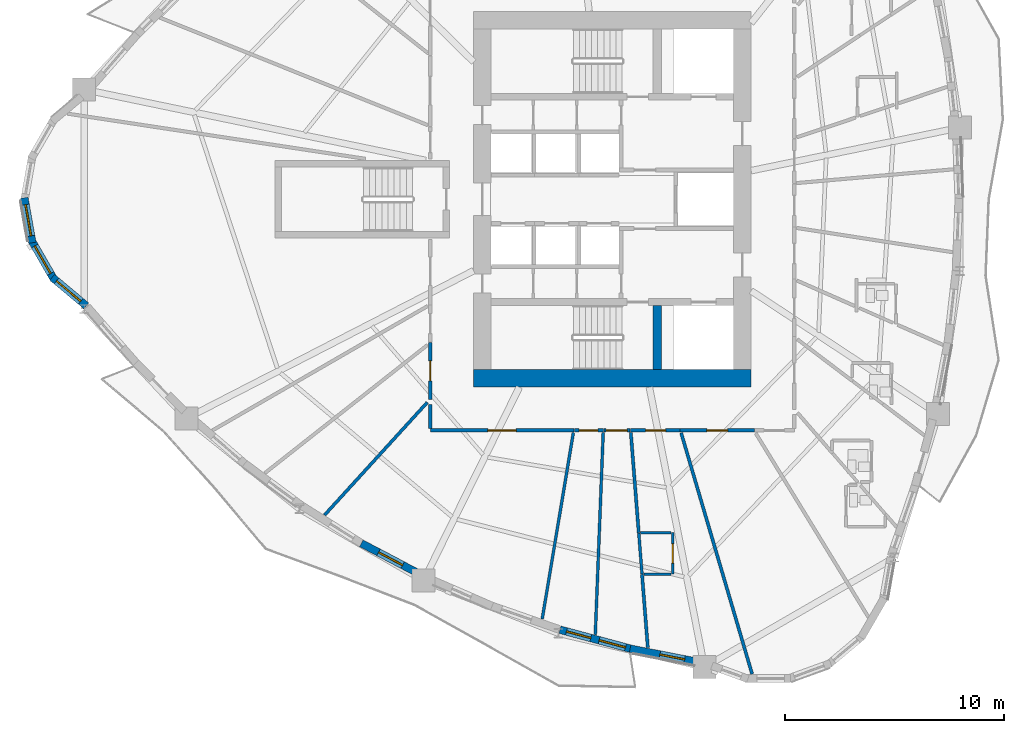
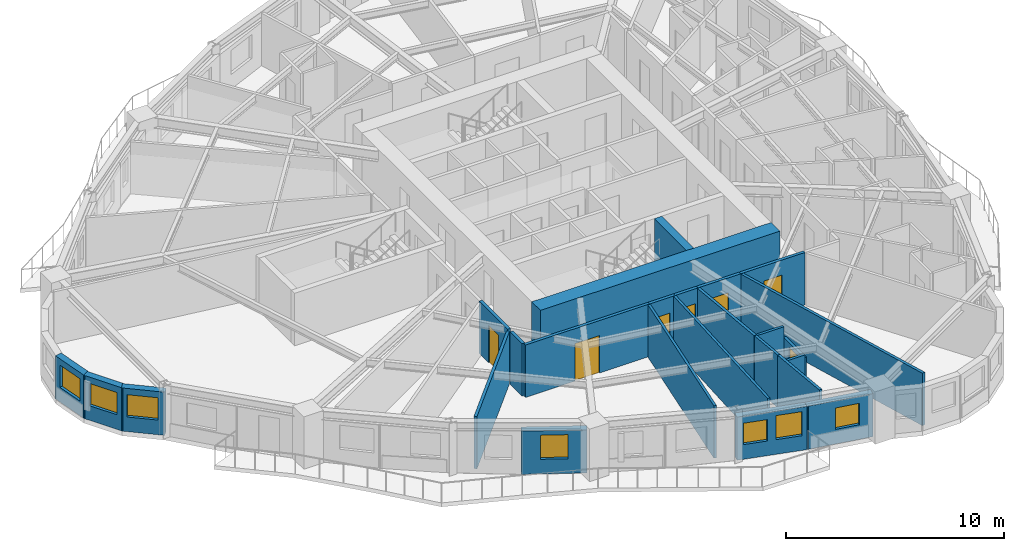
# One storey, part 3 of 13: 25 walls, 7 doors, 7 windows, 14 openings.
"""IFC4 building model written with IfcOpenShell, lengths in metres."""

from ifc_helpers import new_model, si_unit, direction, frame, frame_2d, origin, place, context, subcontext, project, spatial, rectangle, extrude, source, transform, mapped, material, layer, layer_set, type_object, element, fill, save


model = new_model("IFC4")

# Units and contexts
model_context = context("Model", 3, precision=1e-05, world=origin(), true_north=direction((0.0, 1.0)))
body_context = subcontext(model_context, "Body", "Model", "MODEL_VIEW")
ifc_project = project(units=[si_unit("LENGTHUNIT", "METRE"), si_unit("AREAUNIT", "SQUARE_METRE"), si_unit("VOLUMEUNIT", "CUBIC_METRE"), si_unit("PLANEANGLEUNIT", "RADIAN"), si_unit("MASSUNIT", "GRAM", prefix="KILO")], contexts=[model_context])

# Site, building, storey
site_placement = place(None, origin())
site = spatial("IfcSite", under=ifc_project, at=site_placement, CompositionType="ELEMENT")
building_placement = place(site_placement, origin())
building = spatial("IfcBuilding", under=site, at=building_placement, Name="Qafzar Sky-Pleat Residences", CompositionType="ELEMENT")
storey_placement = place(building_placement, frame((0.0, 0.0, 55.800048828125)))
storey = spatial("IfcBuildingStorey", under=building, at=storey_placement, Name="L16", CompositionType="ELEMENT", Elevation=55.800048828125)

# Wall, opening, door
ifc_material_1 = material(Name="Acoustic gypsum plasterboard partition", Category="gypsum")
ifc_layer_1 = layer(ifc_material_1, 0.159912109375)
ifc_layer_set_1 = layer_set([ifc_layer_1], Name="Acoustic gypsum plasterboard partition")
wall_type_1 = type_object("IfcWallType", Name="PART-COR-160", PredefinedType="PARTITIONING", material=ifc_layer_set_1)
wall_1_placement = place(storey_placement, frame((28.595947265625, 15.419921875, 0.0), z_axis=(0.0, 0.0, 1.0), x_axis=(-1.0, 0.0, 0.0)))
wall_1 = element("IfcWall", 1, at=wall_1_placement, inside=storey, type_object=wall_type_1, Name="L16 Partition Wall PART-L16-PW-001", PredefinedType="PARTITIONING", context=body_context, shape_type="SweptSolid", body=[
    extrude(rectangle(XDim=6.575927734375, YDim=0.159912109375, at=frame_2d((3.2880859375, 0.0))), origin(), (0.0, 0.0, 1.0), 2.93994140625),
])
opening_1_placement = place(wall_1_placement, frame((2.6455078125, 0.0, 0.0)))
opening_1 = element("IfcOpeningElement", 2, at=opening_1_placement, cuts=wall_1, Name="Opening ID-05", PredefinedType="OPENING", context=body_context, shape_type="SweptSolid", body=[
    extrude(rectangle(XDim=1.300048828125, YDim=2.10009765625, at=frame_2d((0.64990234375, 1.050048828125))), frame((0.0, 0.08984375, 0.0), z_axis=(0.0, -1.0, 0.0), x_axis=(1.0, 0.0, 0.0)), (0.0, 0.0, 1.0), 0.179931640625),
])
ifc_material_2 = material(Name="Timber-faced fire door", Category="wood")
door_type_1 = type_object("IfcDoorType", Name="DR-LNG-1300", OperationType="DOUBLE_DOOR_SINGLE_SWING", PredefinedType="DOOR", material=ifc_material_2)
shared_shape_1 = source(origin(), body_context, "Body", "SweptSolid", [
    extrude(rectangle(XDim=1.300048828125, YDim=2.10009765625, at=frame_2d((0.64990234375, 1.050048828125))), frame((0.0, 0.02490234375, 0.0), z_axis=(0.0, -1.0, 0.0), x_axis=(1.0, 0.0, 0.0)), (0.0, 0.0, 1.0), 0.050048828125),
])
door_1_placement = place(opening_1_placement, origin())
door_1 = element("IfcDoor", 3, at=door_1_placement, inside=storey, type_object=door_type_1, Name="L16 Tutorial Huddle Room Door", OperationType="DOUBLE_DOOR_SINGLE_SWING", OverallHeight=2.10009765625, OverallWidth=1.300048828125, PredefinedType="DOOR", context=body_context, shape_type="MappedRepresentation", body=[
    mapped(shared_shape_1, transform((0.0, 0.0, 0.0), x_axis=(1.0, 0.0, 0.0), y_axis=(0.0, 1.0, 0.0), z_axis=(0.0, 0.0, 1.0), scale=1.0)),
])
fill(opening_1, door_1)

wall_2_placement = place(storey_placement, frame((36.84912109375, 15.419921875, 0.0), z_axis=(0.0, 0.0, 1.0), x_axis=(-1.0, 0.0, 0.0)))
wall_2 = element("IfcWall", 4, at=wall_2_placement, inside=storey, type_object=wall_type_1, Name="L16 Partition Wall PART-L16-PW-007", PredefinedType="PARTITIONING", context=body_context, shape_type="SweptSolid", body=[
    extrude(rectangle(XDim=3.401123046875, YDim=0.159912109375, at=frame_2d((1.70068359375, 0.0))), origin(), (0.0, 0.0, 1.0), 2.93994140625),
])
opening_2_placement = place(wall_2_placement, frame((1.220947265625, 0.0, 0.0)))
opening_2 = element("IfcOpeningElement", 5, at=opening_2_placement, cuts=wall_2, Name="Opening ID-06", PredefinedType="OPENING", context=body_context, shape_type="SweptSolid", body=[
    extrude(rectangle(XDim=0.9599609375, YDim=2.10009765625, at=frame_2d((0.47998046875, 1.050048828125))), frame((0.0, 0.08984375, 0.0), z_axis=(0.0, -1.0, 0.0), x_axis=(1.0, 0.0, 0.0)), (0.0, 0.0, 1.0), 0.179931640625),
])
door_type_2 = type_object("IfcDoorType", Name="DR-STD-960", OperationType="NOTDEFINED", PredefinedType="DOOR", material=ifc_material_2)
shared_shape_2 = source(origin(), body_context, "Body", "SweptSolid", [
    extrude(rectangle(XDim=0.9599609375, YDim=2.10009765625, at=frame_2d((0.47998046875, 1.050048828125))), frame((0.0, 0.02490234375, 0.0), z_axis=(0.0, -1.0, 0.0), x_axis=(1.0, 0.0, 0.0)), (0.0, 0.0, 1.0), 0.050048828125),
])
door_2_placement = place(opening_2_placement, origin())
door_2 = element("IfcDoor", 6, at=door_2_placement, inside=storey, type_object=door_type_2, Name="L16 Reading Library Door", OperationType="SINGLE_SWING_LEFT", OverallHeight=2.10009765625, OverallWidth=0.9599609375, PredefinedType="DOOR", context=body_context, shape_type="MappedRepresentation", body=[
    mapped(shared_shape_2, transform((0.0, 0.0, 0.0), x_axis=(1.0, 0.0, 0.0), y_axis=(0.0, 1.0, 0.0), z_axis=(0.0, 0.0, 1.0), scale=1.0)),
])
fill(opening_2, door_2)

wall_3_placement = place(storey_placement, frame((22.02001953125, 16.837890625, 0.0), z_axis=(0.0, 0.0, 1.0), x_axis=(0.0, 1.0, 0.0)))
wall_3 = element("IfcWall", 7, at=wall_3_placement, inside=storey, type_object=wall_type_1, Name="L16 Partition Wall PART-L16-PW-014", PredefinedType="PARTITIONING", context=body_context, shape_type="SweptSolid", body=[
    extrude(rectangle(XDim=2.6181640625, YDim=0.159912109375, at=frame_2d((1.30908203125, 0.0))), origin(), (0.0, 0.0, 1.0), 2.93994140625),
])
opening_3_placement = place(wall_3_placement, frame((0.85009765625, 0.0, 0.0)))
opening_3 = element("IfcOpeningElement", 8, at=opening_3_placement, cuts=wall_3, Name="Opening ID-04", PredefinedType="OPENING", context=body_context, shape_type="SweptSolid", body=[
    extrude(rectangle(XDim=0.919921875, YDim=2.10009765625, at=frame_2d((0.4599609375, 1.050048828125))), frame((0.0, 0.08984375, 0.0), z_axis=(0.0, -1.0, 0.0), x_axis=(1.0, 0.0, 0.0)), (0.0, 0.0, 1.0), 0.179931640625),
])
door_type_3 = type_object("IfcDoorType", Name="DR-BED-920", OperationType="NOTDEFINED", PredefinedType="DOOR", material=ifc_material_2)
shared_shape_3 = source(origin(), body_context, "Body", "SweptSolid", [
    extrude(rectangle(XDim=0.919921875, YDim=2.10009765625, at=frame_2d((0.4599609375, 1.050048828125))), frame((0.0, 0.02490234375, 0.0), z_axis=(0.0, -1.0, 0.0), x_axis=(1.0, 0.0, 0.0)), (0.0, 0.0, 1.0), 0.050048828125),
])
door_3_placement = place(opening_3_placement, origin())
door_3 = element("IfcDoor", 9, at=door_3_placement, inside=storey, type_object=door_type_3, Name="L16 Co-Living Bedroom 11 Door", OperationType="SINGLE_SWING_RIGHT", OverallHeight=2.10009765625, OverallWidth=0.919921875, PredefinedType="DOOR", context=body_context, shape_type="MappedRepresentation", body=[
    mapped(shared_shape_3, transform((0.0, 0.0, 0.0), x_axis=(1.0, 0.0, 0.0), y_axis=(0.0, 1.0, 0.0), z_axis=(0.0, 0.0, 1.0), scale=1.0)),
])
fill(opening_3, door_3)

wall_4_placement = place(storey_placement, frame((33.43310546875, 15.419921875, 0.0), z_axis=(0.0, 0.0, 1.0), x_axis=(-1.0, 0.0, 0.0)))
wall_4 = element("IfcWall", 10, at=wall_4_placement, inside=storey, type_object=wall_type_1, Name="L16 Partition Wall PART-L16-PW-016", PredefinedType="PARTITIONING", context=body_context, shape_type="SweptSolid", body=[
    extrude(rectangle(XDim=2.26220703125, YDim=0.159912109375, at=frame_2d((1.131103515625, 0.0))), origin(), (0.0, 0.0, 1.0), 2.93994140625),
])
opening_4_placement = place(wall_4_placement, frame((0.64794921875, 0.0, 0.0)))
opening_4 = element("IfcOpeningElement", 11, at=opening_4_placement, cuts=wall_4, Name="Opening ID-04", PredefinedType="OPENING", context=body_context, shape_type="SweptSolid", body=[
    extrude(rectangle(XDim=0.919921875, YDim=2.10009765625, at=frame_2d((0.4599609375, 1.050048828125))), frame((0.0, 0.08984375, 0.0), z_axis=(0.0, -1.0, 0.0), x_axis=(1.0, 0.0, 0.0)), (0.0, 0.0, 1.0), 0.179931640625),
])
door_4_placement = place(opening_4_placement, origin())
door_4 = element("IfcDoor", 12, at=door_4_placement, inside=storey, type_object=door_type_3, Name="L16 Co-Living Bedroom 12 Door", OperationType="SINGLE_SWING_RIGHT", OverallHeight=2.10009765625, OverallWidth=0.919921875, PredefinedType="DOOR", context=body_context, shape_type="MappedRepresentation", body=[
    mapped(shared_shape_3, transform((0.0, 0.0, 0.0), x_axis=(1.0, 0.0, 0.0), y_axis=(0.0, 1.0, 0.0), z_axis=(0.0, 0.0, 1.0), scale=1.0)),
])
fill(opening_4, door_4)

wall_5_placement = place(storey_placement, frame((29.948974609375, 15.419921875, 0.0), z_axis=(0.0, 0.0, 1.0), x_axis=(-1.0, 0.0, 0.0)))
wall_5 = element("IfcWall", 13, at=wall_5_placement, inside=storey, type_object=wall_type_1, Name="L16 Partition Wall PART-L16-PW-030", PredefinedType="PARTITIONING", context=body_context, shape_type="SweptSolid", body=[
    extrude(rectangle(XDim=1.337890625, YDim=0.159912109375, at=frame_2d((0.6689453125, 0.0))), origin(), (0.0, 0.0, 1.0), 2.93994140625),
])
opening_5_placement = place(wall_5_placement, frame((0.261474609375, 0.0, 0.0)))
opening_5 = element("IfcOpeningElement", 14, at=opening_5_placement, cuts=wall_5, Name="Opening ID-09", PredefinedType="OPENING", context=body_context, shape_type="SweptSolid", body=[
    extrude(rectangle(XDim=0.860107421875, YDim=2.050048828125, at=frame_2d((0.43017578125, 1.02490234375))), frame((0.0, 0.08984375, 0.0), z_axis=(0.0, -1.0, 0.0), x_axis=(1.0, 0.0, 0.0)), (0.0, 0.0, 1.0), 0.179931640625),
])
door_type_4 = type_object("IfcDoorType", Name="DR-SVC-860", OperationType="NOTDEFINED", PredefinedType="DOOR", material=ifc_material_2)
shared_shape_4 = source(origin(), body_context, "Body", "SweptSolid", [
    extrude(rectangle(XDim=0.860107421875, YDim=2.050048828125, at=frame_2d((0.43017578125, 1.02490234375))), frame((0.0, 0.02490234375, 0.0), z_axis=(0.0, -1.0, 0.0), x_axis=(1.0, 0.0, 0.0)), (0.0, 0.0, 1.0), 0.050048828125),
])
door_5_placement = place(opening_5_placement, origin())
door_5 = element("IfcDoor", 15, at=door_5_placement, inside=storey, type_object=door_type_4, Name="L16 Accessible Shared Washroom Door", OperationType="SINGLE_SWING_RIGHT", OverallHeight=2.050048828125, OverallWidth=0.860107421875, PredefinedType="DOOR", context=body_context, shape_type="MappedRepresentation", body=[
    mapped(shared_shape_4, transform((0.0, 0.0, 0.0), x_axis=(1.0, 0.0, 0.0), y_axis=(0.0, 1.0, 0.0), z_axis=(0.0, 0.0, 1.0), scale=1.0)),
])
fill(opening_5, door_5)

wall_6_placement = place(storey_placement, frame((31.156005859375, 15.419921875, 0.0), z_axis=(0.0, 0.0, 1.0), x_axis=(-1.0, 0.0, 0.0)))
wall_6 = element("IfcWall", 16, at=wall_6_placement, inside=storey, type_object=wall_type_1, Name="L16 Partition Wall PART-L16-PW-031", PredefinedType="PARTITIONING", context=body_context, shape_type="SweptSolid", body=[
    extrude(rectangle(XDim=1.19189453125, YDim=0.159912109375, at=frame_2d((0.595947265625, 0.0))), origin(), (0.0, 0.0, 1.0), 2.93994140625),
])
opening_6_placement = place(wall_6_placement, frame((0.127685546875, 0.0, 0.0)))
opening_6 = element("IfcOpeningElement", 17, at=opening_6_placement, cuts=wall_6, Name="Opening ID-06", PredefinedType="OPENING", context=body_context, shape_type="SweptSolid", body=[
    extrude(rectangle(XDim=0.9599609375, YDim=2.10009765625, at=frame_2d((0.47998046875, 1.050048828125))), frame((0.0, 0.08984375, 0.0), z_axis=(0.0, -1.0, 0.0), x_axis=(1.0, 0.0, 0.0)), (0.0, 0.0, 1.0), 0.179931640625),
])
door_6_placement = place(opening_6_placement, origin())
door_6 = element("IfcDoor", 18, at=door_6_placement, inside=storey, type_object=door_type_2, Name="L16 Scholar Study Room Door", OperationType="SINGLE_SWING_LEFT", OverallHeight=2.10009765625, OverallWidth=0.9599609375, PredefinedType="DOOR", context=body_context, shape_type="MappedRepresentation", body=[
    mapped(shared_shape_2, transform((0.0, 0.0, 0.0), x_axis=(1.0, 0.0, 0.0), y_axis=(0.0, 1.0, 0.0), z_axis=(0.0, 0.0, 1.0), scale=1.0)),
])
fill(opening_6, door_6)

# Walls
wall_7_placement = place(storey_placement, frame((22.02001953125, 15.508056640625, 0.0), z_axis=(0.0, 0.0, 1.0), x_axis=(0.0, 1.0, 0.0)))
element("IfcWall", 19, at=wall_7_placement, inside=storey, type_object=wall_type_1, Name="L16 Partition Wall PART-L16-PW-079", PredefinedType="PARTITIONING", context=body_context, shape_type="SweptSolid", body=[
    extrude(rectangle(XDim=1.111572265625, YDim=0.159912109375, at=frame_2d((0.5556640625, 0.0))), origin(), (0.0, 0.0, 1.0), 2.93994140625),
])
ifc_layer_2 = layer(ifc_material_1, 0.14501953125)
ifc_layer_set_2 = layer_set([ifc_layer_2], Name="Acoustic gypsum plasterboard partition")
wall_type_2 = type_object("IfcWallType", Name="PART-UNIT-145", PredefinedType="PARTITIONING", material=ifc_layer_set_2)
wall_8_placement = place(storey_placement, frame((33.495849609375, 15.31201171875, 0.0), z_axis=(0.0, 0.0, 1.0), x_axis=(0.282353610079, -0.959310397564, 0.0)))
element("IfcWall", 20, at=wall_8_placement, inside=storey, type_object=wall_type_2, Name="L16 Partition Wall PART-L16-PW-035", PredefinedType="PARTITIONING", context=body_context, shape_type="SweptSolid", body=[
    extrude(rectangle(XDim=11.50341796875, YDim=0.14501953125, at=frame_2d((5.751708984375, 0.0))), origin(), (0.0, 0.0, 1.0), 2.93994140625),
])
wall_9_placement = place(storey_placement, frame((17.179931640625, 11.550048828125, 0.0), z_axis=(0.0, 0.0, 1.0), x_axis=(0.673657773225, 0.739043438895, 0.0)))
element("IfcWall", 21, at=wall_9_placement, inside=storey, type_object=wall_type_2, Name="L16 Partition Wall PART-L16-PW-047", PredefinedType="PARTITIONING", context=body_context, shape_type="SweptSolid", body=[
    extrude(rectangle(XDim=6.978515625, YDim=0.14501953125, at=frame_2d((3.4892578125, 0.0))), origin(), (0.0, 0.0, 1.0), 2.93994140625),
])
wall_10_placement = place(storey_placement, frame((31.193359375, 15.326416015625, 0.0), z_axis=(0.0, 0.0, 1.0), x_axis=(0.078835771191, -0.996887617127, 0.0)))
element("IfcWall", 22, at=wall_10_placement, inside=storey, type_object=wall_type_2, Name="L16 Partition Wall PART-L16-PW-049", PredefinedType="PARTITIONING", context=body_context, shape_type="SweptSolid", body=[
    extrude(rectangle(XDim=4.598876953125, YDim=0.14501953125, at=frame_2d((2.29931640625, 0.0))), origin(), (0.0, 0.0, 1.0), 2.93994140625),
])
wall_11_placement = place(storey_placement, frame((31.7060546875, 8.842041015625, 0.0), z_axis=(0.0, 0.0, 1.0), x_axis=(0.078861571463, -0.996885576456, 0.0)))
element("IfcWall", 23, at=wall_11_placement, inside=storey, type_object=wall_type_2, Name="L16 Partition Wall PART-L16-PW-051", PredefinedType="PARTITIONING", context=body_context, shape_type="SweptSolid", body=[
    extrude(rectangle(XDim=3.371337890625, YDim=0.14501953125, at=frame_2d((1.685546875, 0.0))), origin(), (0.0, 0.0, 1.0), 2.93994140625),
])

# Wall, opening, door
ifc_material_3 = material(Name="Moisture-resistant gypsum partition", Category="gypsum")
ifc_layer_3 = layer(ifc_material_3, 0.1298828125)
ifc_layer_set_3 = layer_set([ifc_layer_3], Name="Moisture-resistant gypsum partition")
wall_type_3 = type_object("IfcWallType", Name="PART-WET-130", PredefinedType="PARTITIONING", material=ifc_layer_set_3)
wall_12_placement = place(storey_placement, frame((33.113037109375, 8.842041015625, 0.0), z_axis=(0.0, 0.0, 1.0), x_axis=(0.0, 1.0, 0.0)))
wall_12 = element("IfcWall", 24, at=wall_12_placement, inside=storey, type_object=wall_type_3, Name="L16 Partition Wall PART-L16-PW-021", PredefinedType="PARTITIONING", context=body_context, shape_type="SweptSolid", body=[
    extrude(rectangle(XDim=1.89990234375, YDim=0.1298828125, at=frame_2d((0.949951171875, 0.0))), origin(), (0.0, 0.0, 1.0), 2.307861328125),
])
opening_7_placement = place(wall_12_placement, frame((0.510009765625, 0.0, 0.0)))
opening_7 = element("IfcOpeningElement", 25, at=opening_7_placement, cuts=wall_12, Name="Opening ID-07", PredefinedType="OPENING", context=body_context, shape_type="SweptSolid", body=[
    extrude(rectangle(XDim=0.8798828125, YDim=2.050048828125, at=frame_2d((0.43994140625, 1.02490234375))), frame((0.0, 0.074951171875, 0.0), z_axis=(0.0, -1.0, 0.0), x_axis=(1.0, 0.0, 0.0)), (0.0, 0.0, 1.0), 0.14990234375),
])
door_type_5 = type_object("IfcDoorType", Name="DR-WET-880", OperationType="NOTDEFINED", PredefinedType="DOOR", material=ifc_material_2)
shared_shape_5 = source(origin(), body_context, "Body", "SweptSolid", [
    extrude(rectangle(XDim=0.8798828125, YDim=2.050048828125, at=frame_2d((0.43994140625, 1.02490234375))), frame((0.0, 0.02490234375, 0.0), z_axis=(0.0, -1.0, 0.0), x_axis=(1.0, 0.0, 0.0)), (0.0, 0.0, 1.0), 0.050048828125),
])
door_7_placement = place(opening_7_placement, origin())
door_7 = element("IfcDoor", 26, at=door_7_placement, inside=storey, type_object=door_type_5, Name="L16 En-suite Bathroom 12 Door", OperationType="SINGLE_SWING_LEFT", OverallHeight=2.050048828125, OverallWidth=0.8798828125, PredefinedType="DOOR", context=body_context, shape_type="MappedRepresentation", body=[
    mapped(shared_shape_5, transform((0.0, 0.0, 0.0), x_axis=(1.0, 0.0, 0.0), y_axis=(0.0, 1.0, 0.0), z_axis=(0.0, 0.0, 1.0), scale=1.0)),
])
fill(opening_7, door_7)

# Walls
wall_13_placement = place(storey_placement, frame((29.5673828125, 6.072021484375, 0.0), z_axis=(0.0, 0.0, 1.0), x_axis=(0.039185050788, 0.999231970963, 0.0)))
element("IfcWall", 27, at=wall_13_placement, inside=storey, type_object=wall_type_3, Name="L16 Partition Wall PART-L16-PW-041", PredefinedType="PARTITIONING", context=body_context, shape_type="SweptSolid", body=[
    extrude(rectangle(XDim=9.2646484375, YDim=0.1298828125, at=frame_2d((4.63232421875, 0.0))), origin(), (0.0, 0.0, 1.0), 2.93994140625),
])
wall_14_placement = place(storey_placement, frame((27.138916015625, 6.7919921875, 0.0), z_axis=(0.0, 0.0, 1.0), x_axis=(0.164847632872, 0.986319044699, 0.0)))
element("IfcWall", 28, at=wall_14_placement, inside=storey, type_object=wall_type_3, Name="L16 Partition Wall PART-L16-PW-042", PredefinedType="PARTITIONING", context=body_context, shape_type="SweptSolid", body=[
    extrude(rectangle(XDim=8.647705078125, YDim=0.1298828125, at=frame_2d((4.32373046875, 0.0))), origin(), (0.0, 0.0, 1.0), 2.93994140625),
])
wall_15_placement = place(storey_placement, frame((31.55712890625, 10.72705078125, 0.0), z_axis=(0.0, 0.0, 1.0), x_axis=(0.078736521399, -0.996895461018, 0.0)))
element("IfcWall", 29, at=wall_15_placement, inside=storey, type_object=wall_type_3, Name="L16 Partition Wall PART-L16-PW-062", PredefinedType="PARTITIONING", context=body_context, shape_type="SweptSolid", body=[
    extrude(rectangle(XDim=1.8759765625, YDim=0.1298828125, at=frame_2d((0.93798828125, 0.0))), origin(), (0.0, 0.0, 1.0), 2.93994140625),
])
wall_16_placement = place(storey_placement, frame((31.641845703125, 10.741943359375, 0.0), z_axis=(0.0, 0.0, 1.0), x_axis=(1.0, 0.0, 0.0)))
element("IfcWall", 30, at=wall_16_placement, inside=storey, type_object=wall_type_3, Name="L16 Partition Wall PART-L16-PW-077", PredefinedType="PARTITIONING", context=body_context, shape_type="SweptSolid", body=[
    extrude(rectangle(XDim=1.398193359375, YDim=0.1298828125, at=frame_2d((0.69921875, 0.0))), origin(), (0.0, 0.0, 1.0), 2.93994140625),
])
wall_17_placement = place(storey_placement, frame((31.7919921875, 8.842041015625, 0.0), z_axis=(0.0, 0.0, 1.0), x_axis=(1.0, 0.0, 0.0)))
element("IfcWall", 31, at=wall_17_placement, inside=storey, type_object=wall_type_3, Name="L16 Partition Wall PART-L16-PW-078", PredefinedType="PARTITIONING", context=body_context, shape_type="SweptSolid", body=[
    extrude(rectangle(XDim=1.248046875, YDim=0.1298828125, at=frame_2d((0.6240234375, 0.0))), origin(), (0.0, 0.0, 1.0), 2.508056640625),
])

# Wall, opening, window
ifc_material_4 = material(Name="Precast concrete C40/50 with honed Riyadh limestone", Category="concrete")
ifc_layer_4 = layer(ifc_material_4, 0.35009765625)
ifc_layer_set_4 = layer_set([ifc_layer_4], Name="Precast concrete C40/50 with honed Riyadh limestone")
wall_type_4 = type_object("IfcWallType", Name="WALL-EXT-350", PredefinedType="SOLIDWALL", material=ifc_layer_set_4)
wall_18_placement = place(storey_placement, frame((3.440673828125, 26.06787109375, 0.0), z_axis=(0.0, 0.0, 1.0), x_axis=(0.173672066494, -0.984803540469, 0.0)))
wall_18 = element("IfcWall", 32, at=wall_18_placement, inside=storey, type_object=wall_type_4, Name="L16 Limestone Facade Wall 4", PredefinedType="SOLIDWALL", context=body_context, shape_type="SweptSolid", body=[
    extrude(rectangle(XDim=2.09033203125, YDim=0.35009765625, at=frame_2d((1.045166015625, 0.0))), origin(), (0.0, 0.0, 1.0), 2.419921875),
])
opening_8_placement = place(wall_18_placement, frame((0.3203125, 0.0, 0.820068359375)))
opening_8 = element("IfcOpeningElement", 33, at=opening_8_placement, cuts=wall_18, Name="Opening WN-15", PredefinedType="OPENING", context=body_context, shape_type="SweptSolid", body=[
    extrude(rectangle(XDim=1.449951171875, YDim=1.25, at=frame_2d((0.72509765625, 0.625))), frame((0.0, 0.18505859375, 0.0), z_axis=(0.0, -1.0, 0.0), x_axis=(1.0, 0.0, 0.0)), (0.0, 0.0, 1.0), 0.3701171875),
])
ifc_material_5 = material(Name="Solar-control low-E glass in bronze aluminium frame", Category="glass")
window_type_1 = type_object("IfcWindowType", Name="WIN-15", PartitioningType="SINGLE_PANEL", PredefinedType="WINDOW", material=ifc_material_5)
shared_shape_6 = source(origin(), body_context, "Body", "SweptSolid", [
    extrude(rectangle(XDim=1.449951171875, YDim=1.25, at=frame_2d((0.72509765625, 0.625))), frame((0.0, 0.030029296875, 0.0), z_axis=(0.0, -1.0, 0.0), x_axis=(1.0, 0.0, 0.0)), (0.0, 0.0, 1.0), 0.06005859375),
])
window_1_placement = place(opening_8_placement, origin())
window_1 = element("IfcWindow", 34, at=window_1_placement, inside=storey, type_object=window_type_1, Name="L16 Punched Facade Window 04", OverallHeight=1.25, OverallWidth=1.449951171875, PartitioningType="SINGLE_PANEL", PredefinedType="WINDOW", context=body_context, shape_type="MappedRepresentation", body=[
    mapped(shared_shape_6, transform((0.0, 0.0, 0.0), x_axis=(1.0, 0.0, 0.0), y_axis=(0.0, 1.0, 0.0), z_axis=(0.0, 0.0, 1.0), scale=1.0)),
])
fill(opening_8, window_1)

wall_19_placement = place(storey_placement, frame((3.75732421875, 24.13671875, 0.0), z_axis=(0.0, 0.0, 1.0), x_axis=(0.499995423472, -0.866028046028, 0.0)))
wall_19 = element("IfcWall", 35, at=wall_19_placement, inside=storey, type_object=wall_type_4, Name="L16 Limestone Facade Wall 5", PredefinedType="SOLIDWALL", context=body_context, shape_type="SweptSolid", body=[
    extrude(rectangle(XDim=2.09033203125, YDim=0.35009765625, at=frame_2d((1.045166015625, 0.0))), origin(), (0.0, 0.0, 1.0), 2.419921875),
])
opening_9_placement = place(wall_19_placement, frame((0.3203125, 0.0, 0.820068359375)))
opening_9 = element("IfcOpeningElement", 36, at=opening_9_placement, cuts=wall_19, Name="Opening WN-15", PredefinedType="OPENING", context=body_context, shape_type="SweptSolid", body=[
    extrude(rectangle(XDim=1.449951171875, YDim=1.25, at=frame_2d((0.72509765625, 0.625))), frame((0.0, 0.18505859375, 0.0), z_axis=(0.0, -1.0, 0.0), x_axis=(1.0, 0.0, 0.0)), (0.0, 0.0, 1.0), 0.3701171875),
])
window_2_placement = place(opening_9_placement, origin())
window_2 = element("IfcWindow", 37, at=window_2_placement, inside=storey, type_object=window_type_1, Name="L16 Punched Facade Window 05", OverallHeight=1.25, OverallWidth=1.449951171875, PartitioningType="SINGLE_PANEL", PredefinedType="WINDOW", context=body_context, shape_type="MappedRepresentation", body=[
    mapped(shared_shape_6, transform((0.0, 0.0, 0.0), x_axis=(1.0, 0.0, 0.0), y_axis=(0.0, 1.0, 0.0), z_axis=(0.0, 0.0, 1.0), scale=1.0)),
])
fill(opening_9, window_2)

wall_20_placement = place(storey_placement, frame((4.71533203125, 22.430419921875, 0.0), z_axis=(0.0, 0.0, 1.0), x_axis=(0.766040796373, -0.642791955684, 0.0)))
wall_20 = element("IfcWall", 38, at=wall_20_placement, inside=storey, type_object=wall_type_4, Name="L16 Limestone Facade Wall 6", PredefinedType="SOLIDWALL", context=body_context, shape_type="SweptSolid", body=[
    extrude(rectangle(XDim=2.032470703125, YDim=0.35009765625, at=frame_2d((1.01611328125, 0.0))), origin(), (0.0, 0.0, 1.0), 2.419921875),
])
opening_10_placement = place(wall_20_placement, frame((0.26123046875, 0.0, 0.820068359375)))
opening_10 = element("IfcOpeningElement", 39, at=opening_10_placement, cuts=wall_20, Name="Opening WN-15", PredefinedType="OPENING", context=body_context, shape_type="SweptSolid", body=[
    extrude(rectangle(XDim=1.449951171875, YDim=1.25, at=frame_2d((0.72509765625, 0.625))), frame((0.0, 0.18505859375, 0.0), z_axis=(0.0, -1.0, 0.0), x_axis=(1.0, 0.0, 0.0)), (0.0, 0.0, 1.0), 0.3701171875),
])
window_3_placement = place(opening_10_placement, origin())
window_3 = element("IfcWindow", 40, at=window_3_placement, inside=storey, type_object=window_type_1, Name="L16 Punched Facade Window 06", OverallHeight=1.25, OverallWidth=1.449951171875, PartitioningType="SINGLE_PANEL", PredefinedType="WINDOW", context=body_context, shape_type="MappedRepresentation", body=[
    mapped(shared_shape_6, transform((0.0, 0.0, 0.0), x_axis=(1.0, 0.0, 0.0), y_axis=(0.0, 1.0, 0.0), z_axis=(0.0, 0.0, 1.0), scale=1.0)),
])
fill(opening_10, window_3)

wall_21_placement = place(storey_placement, frame((18.85986328125, 10.258056640625, 0.0), z_axis=(0.0, 0.0, 1.0), x_axis=(0.884375478211, -0.46677619213, 0.0)))
wall_21 = element("IfcWall", 41, at=wall_21_placement, inside=storey, type_object=wall_type_4, Name="L16 Limestone Facade Wall 12", PredefinedType="SOLIDWALL", context=body_context, shape_type="SweptSolid", body=[
    extrude(rectangle(XDim=3.0185546875, YDim=0.35009765625, at=frame_2d((1.50927734375, 0.0))), origin(), (0.0, 0.0, 1.0), 2.419921875),
])
opening_11_placement = place(wall_21_placement, frame((0.88916015625, 0.0, 0.820068359375)))
opening_11 = element("IfcOpeningElement", 42, at=opening_11_placement, cuts=wall_21, Name="Opening WN-11", PredefinedType="OPENING", context=body_context, shape_type="SweptSolid", body=[
    extrude(rectangle(XDim=1.25, YDim=1.35009765625, at=frame_2d((0.625, 0.675048828125))), frame((0.0, 0.18505859375, 0.0), z_axis=(0.0, -1.0, 0.0), x_axis=(1.0, 0.0, 0.0)), (0.0, 0.0, 1.0), 0.3701171875),
])
window_type_2 = type_object("IfcWindowType", Name="WIN-11", PartitioningType="SINGLE_PANEL", PredefinedType="WINDOW", material=ifc_material_5)
shared_shape_7 = source(origin(), body_context, "Body", "SweptSolid", [
    extrude(rectangle(XDim=1.25, YDim=1.35009765625, at=frame_2d((0.625, 0.675048828125))), frame((0.0, 0.030029296875, 0.0), z_axis=(0.0, -1.0, 0.0), x_axis=(1.0, 0.0, 0.0)), (0.0, 0.0, 1.0), 0.06005859375),
])
window_4_placement = place(opening_11_placement, origin())
window_4 = element("IfcWindow", 43, at=window_4_placement, inside=storey, type_object=window_type_2, Name="L16 Punched Facade Window 12", OverallHeight=1.35009765625, OverallWidth=1.25, PartitioningType="SINGLE_PANEL", PredefinedType="WINDOW", context=body_context, shape_type="MappedRepresentation", body=[
    mapped(shared_shape_7, transform((0.0, 0.0, 0.0), x_axis=(1.0, 0.0, 0.0), y_axis=(0.0, 1.0, 0.0), z_axis=(0.0, 0.0, 1.0), scale=1.0)),
])
fill(opening_11, window_4)

# Wall, openings, windows
wall_22_placement = place(storey_placement, frame((27.953369140625, 6.30322265625, 0.0), z_axis=(0.0, 0.0, 1.0), x_axis=(0.965464207527, -0.260535724968, 0.0)))
wall_22 = element("IfcWall", 44, at=wall_22_placement, inside=storey, type_object=wall_type_4, Name="L16 Limestone Facade Wall 15", PredefinedType="SOLIDWALL", context=body_context, shape_type="SweptSolid", body=[
    extrude(rectangle(XDim=3.409912109375, YDim=0.35009765625, at=frame_2d((1.705078125, 0.0))), origin(), (0.0, 0.0, 1.0), 2.419921875),
])
opening_12_placement = place(wall_22_placement, frame((0.3076171875, 0.0, 0.820068359375)))
opening_12 = element("IfcOpeningElement", 45, at=opening_12_placement, cuts=wall_22, Name="Opening WN-16", PredefinedType="OPENING", context=body_context, shape_type="SweptSolid", body=[
    extrude(rectangle(XDim=1.14990234375, YDim=1.199951171875, at=frame_2d((0.574951171875, 0.60009765625))), frame((0.0, 0.18505859375, 0.0), z_axis=(0.0, -1.0, 0.0), x_axis=(1.0, 0.0, 0.0)), (0.0, 0.0, 1.0), 0.3701171875),
])
opening_13_placement = place(wall_22_placement, frame((1.852783203125, 0.0, 0.820068359375)))
opening_13 = element("IfcOpeningElement", 46, at=opening_13_placement, cuts=wall_22, Name="Opening WN-11", PredefinedType="OPENING", context=body_context, shape_type="SweptSolid", body=[
    extrude(rectangle(XDim=1.25, YDim=1.35009765625, at=frame_2d((0.625, 0.675048828125))), frame((0.0, 0.18505859375, 0.0), z_axis=(0.0, -1.0, 0.0), x_axis=(1.0, 0.0, 0.0)), (0.0, 0.0, 1.0), 0.3701171875),
])
window_5_placement = place(opening_13_placement, origin())
window_5 = element("IfcWindow", 47, at=window_5_placement, inside=storey, type_object=window_type_2, Name="L16 Punched Facade Window 15-2", OverallHeight=1.35009765625, OverallWidth=1.25, PartitioningType="SINGLE_PANEL", PredefinedType="WINDOW", context=body_context, shape_type="MappedRepresentation", body=[
    mapped(shared_shape_7, transform((0.0, 0.0, 0.0), x_axis=(1.0, 0.0, 0.0), y_axis=(0.0, 1.0, 0.0), z_axis=(0.0, 0.0, 1.0), scale=1.0)),
])
fill(opening_13, window_5)
window_type_3 = type_object("IfcWindowType", Name="WIN-16", PartitioningType="SINGLE_PANEL", PredefinedType="WINDOW", material=ifc_material_5)
shared_shape_8 = source(origin(), body_context, "Body", "SweptSolid", [
    extrude(rectangle(XDim=1.14990234375, YDim=1.199951171875, at=frame_2d((0.574951171875, 0.60009765625))), frame((0.0, 0.030029296875, 0.0), z_axis=(0.0, -1.0, 0.0), x_axis=(1.0, 0.0, 0.0)), (0.0, 0.0, 1.0), 0.06005859375),
])
window_6_placement = place(opening_12_placement, origin())
window_6 = element("IfcWindow", 48, at=window_6_placement, inside=storey, type_object=window_type_3, Name="L16 Punched Facade Window 15", OverallHeight=1.199951171875, OverallWidth=1.14990234375, PartitioningType="SINGLE_PANEL", PredefinedType="WINDOW", context=body_context, shape_type="MappedRepresentation", body=[
    mapped(shared_shape_8, transform((0.0, 0.0, 0.0), x_axis=(1.0, 0.0, 0.0), y_axis=(0.0, 1.0, 0.0), z_axis=(0.0, 0.0, 1.0), scale=1.0)),
])
fill(opening_12, window_6)

# Wall, opening, window
wall_23_placement = place(storey_placement, frame((31.15966796875, 5.4345703125, 0.0), z_axis=(0.0, 0.0, 1.0), x_axis=(0.981237747431, -0.192801667567, 0.0)))
wall_23 = element("IfcWall", 49, at=wall_23_placement, inside=storey, type_object=wall_type_4, Name="L16 Limestone Facade Wall 16", PredefinedType="SOLIDWALL", context=body_context, shape_type="SweptSolid", body=[
    extrude(rectangle(XDim=3.202392578125, YDim=0.35009765625, at=frame_2d((1.60107421875, 0.0))), origin(), (0.0, 0.0, 1.0), 2.419921875),
])
opening_14_placement = place(wall_23_placement, frame((1.390380859375, 0.0, 0.820068359375)))
opening_14 = element("IfcOpeningElement", 50, at=opening_14_placement, cuts=wall_23, Name="Opening WN-16", PredefinedType="OPENING", context=body_context, shape_type="SweptSolid", body=[
    extrude(rectangle(XDim=1.14990234375, YDim=1.199951171875, at=frame_2d((0.574951171875, 0.60009765625))), frame((0.0, 0.18505859375, 0.0), z_axis=(0.0, -1.0, 0.0), x_axis=(1.0, 0.0, 0.0)), (0.0, 0.0, 1.0), 0.3701171875),
])
window_7_placement = place(opening_14_placement, origin())
window_7 = element("IfcWindow", 51, at=window_7_placement, inside=storey, type_object=window_type_3, Name="L16 Punched Facade Window 16-2", OverallHeight=1.199951171875, OverallWidth=1.14990234375, PartitioningType="SINGLE_PANEL", PredefinedType="WINDOW", context=body_context, shape_type="MappedRepresentation", body=[
    mapped(shared_shape_8, transform((0.0, 0.0, 0.0), x_axis=(1.0, 0.0, 0.0), y_axis=(0.0, 1.0, 0.0), z_axis=(0.0, 0.0, 1.0), scale=1.0)),
])
fill(opening_14, window_7)

# Walls
ifc_material_6 = material(Name="Concrete C60/75", Category="concrete")
ifc_layer_5 = layer(ifc_material_6, 0.39990234375)
ifc_layer_set_5 = layer_set([ifc_layer_5], Name="Concrete C60/75")
wall_type_5 = type_object("IfcWallType", Name="WALL-SHEAR-400", PredefinedType="SHEAR", material=ifc_layer_set_5)
wall_24_placement = place(storey_placement, frame((32.39990234375, 18.199951171875, 0.0), z_axis=(0.0, 0.0, 1.0), x_axis=(0.0, 1.0, 0.0)))
element("IfcWall", 52, at=wall_24_placement, inside=storey, type_object=wall_type_5, Name="L16 Stair ST1 East Dividing Wall", PredefinedType="SHEAR", context=body_context, shape_type="SweptSolid", body=[
    extrude(rectangle(XDim=2.949951171875, YDim=0.39990234375, at=frame_2d((1.47509765625, 0.0))), origin(), (0.0, 0.0, 1.0), 2.93994140625),
])
ifc_layer_6 = layer(ifc_material_6, 0.800048828125)
ifc_layer_set_6 = layer_set([ifc_layer_6], Name="Concrete C60/75")
wall_type_6 = type_object("IfcWallType", Name="WALL-SHEAR-800", PredefinedType="SHEAR", material=ifc_layer_set_6)
wall_25_placement = place(storey_placement, frame((24.0, 17.800048828125, 0.0), z_axis=(0.0, 0.0, 1.0), x_axis=(1.0, 0.0, 0.0)))
element("IfcWall", 53, at=wall_25_placement, inside=storey, type_object=wall_type_6, Name="L16 CORE wall S", PredefinedType="SHEAR", context=body_context, shape_type="SweptSolid", body=[
    extrude(rectangle(XDim=12.699951171875, YDim=0.800048828125, at=frame_2d((6.35009765625, 0.0))), origin(), (0.0, 0.0, 1.0), 2.93994140625),
])

save(model, "model.ifc")
